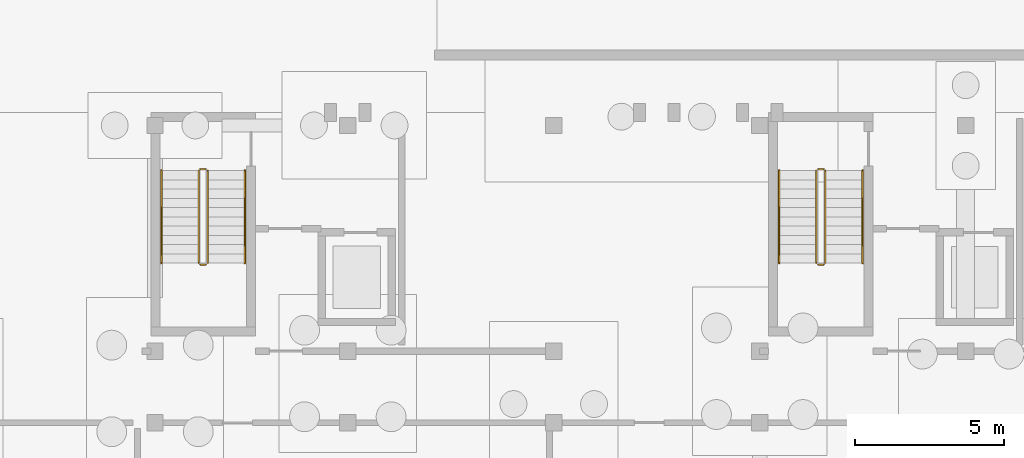
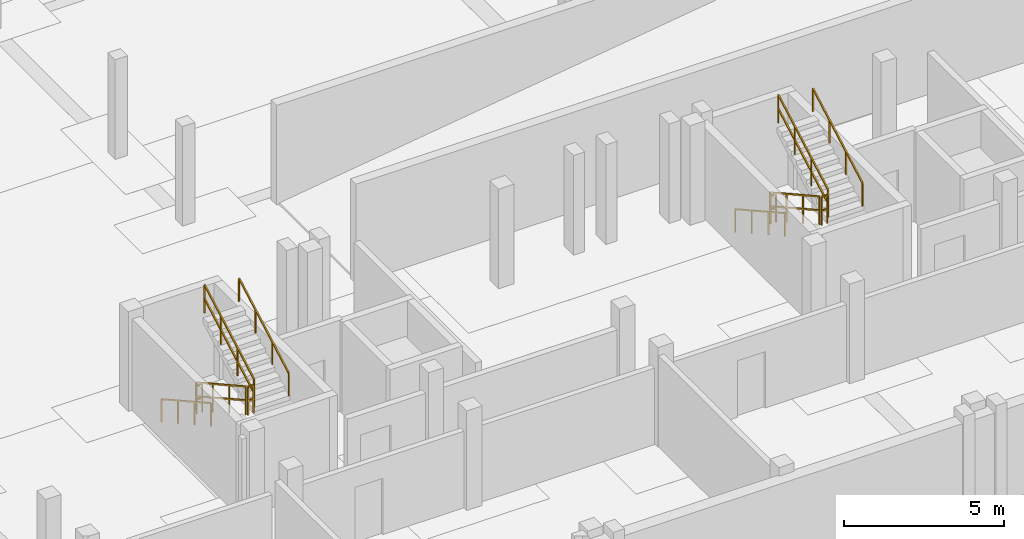
# One storey, part 36 of 38: 12 railings.
"""IFC4 building model written with IfcOpenShell, lengths in metres."""

import ifcopenshell
import ifcopenshell.guid

model = None  # the IFC model being written
_history = None  # IfcOwnerHistory: only IFC2X3 demands one
_inside = {}  # id of a spatial element -> (the spatial element, [elements in it])
_under = {}  # id of a project, library or spatial element -> (it, [spatial elements below it])
_declared = {}  # id of a project -> (the project, [libraries it declares])
_typed = {}  # id of a type object -> (the type object, [elements of that type])
_made_of = {}  # id of a material, layer set ... -> (it, [elements and type objects made of it])


def new_model(schema):
    """Start an empty IFC model of exactly this schema.

    Asked for "IFC4X3", IfcOpenShell would pick the latest addendum, in which some entities
    have other attributes; the version numbers below select the first issue.
    IFC2X3 requires an IfcOwnerHistory on every rooted entity: one is made here for all.
    """
    global model, _history
    if schema == "IFC4X3":
        model = ifcopenshell.file(schema_version=(4, 3, 0, 0))
    else:
        model = ifcopenshell.file(schema=schema)
    _inside.clear()
    _under.clear()
    _declared.clear()
    _typed.clear()
    _made_of.clear()
    _history = None
    if model.schema == "IFC2X3":
        org = make("IfcOrganization", Name="unknown")
        user = make(
            "IfcPersonAndOrganization",
            ThePerson=make("IfcPerson", FamilyName="unknown"),
            TheOrganization=org,
        )
        app = make(
            "IfcApplication",
            ApplicationDeveloper=org,
            Version="unknown",
            ApplicationFullName="unknown",
            ApplicationIdentifier="unknown",
        )
        _history = make(
            "IfcOwnerHistory",
            OwningUser=user,
            OwningApplication=app,
            ChangeAction="ADDED",
            CreationDate=0,
        )
    return model


def make(cls, **values):
    """One entity of the class cls with the attributes given. An attribute that is None is left unset."""
    return model.create_entity(
        cls, **{name: value for name, value in values.items() if value is not None}
    )


def rooted(cls, **values):
    """An entity with a GlobalId (a new one), such as an element, a storey or a relation."""
    return make(cls, GlobalId=ifcopenshell.guid.new(), OwnerHistory=_history, **values)


def si_unit(unit_type, name, prefix=None):
    """IfcSIUnit, for example si_unit("LENGTHUNIT", "METRE", prefix="MILLI")."""
    return make("IfcSIUnit", UnitType=unit_type, Prefix=prefix, Name=name)


def assignment(units):
    """IfcUnitAssignment: the units of a project."""
    return None if units is None else make("IfcUnitAssignment", Units=units)


def point(xyz):
    """IfcCartesianPoint."""
    return None if xyz is None else make("IfcCartesianPoint", Coordinates=xyz)


def direction(xyz):
    """IfcDirection."""
    return None if xyz is None else make("IfcDirection", DirectionRatios=xyz)


def frame(location, z_axis=None, x_axis=None):
    """IfcAxis2Placement3D, a coordinate frame: its origin and axes. An axis left out is left unset."""
    return make(
        "IfcAxis2Placement3D",
        Location=point(location),
        Axis=direction(z_axis),
        RefDirection=direction(x_axis),
    )


def frame_2d(location, x_axis=None):
    """IfcAxis2Placement2D, a coordinate frame in the plane: its origin and x axis."""
    return make(
        "IfcAxis2Placement2D", Location=point(location), RefDirection=direction(x_axis)
    )


def origin():
    """The frame at (0, 0, 0) with its axes left unset."""
    return frame((0.0, 0.0, 0.0))


def origin_2d():
    """The frame at (0, 0) in the plane with its x axis left unset."""
    return frame_2d((0.0, 0.0))


def place(relative_to, where):
    """IfcLocalPlacement: puts the frame where relative to a parent placement (None: the world)."""
    return make(
        "IfcLocalPlacement", PlacementRelTo=relative_to, RelativePlacement=where
    )


def context(
    kind, dimensions, precision=None, world=None, true_north=None, identifier=None
):
    """IfcGeometricRepresentationContext, for example the 3D "Model" context."""
    return make(
        "IfcGeometricRepresentationContext",
        ContextIdentifier=identifier,
        ContextType=kind,
        CoordinateSpaceDimension=dimensions,
        Precision=precision,
        WorldCoordinateSystem=world,
        TrueNorth=true_north,
    )


def subcontext(parent, identifier, kind, view, scale=None):
    """IfcGeometricRepresentationSubContext, for example "Body" below "Model"."""
    return make(
        "IfcGeometricRepresentationSubContext",
        ContextIdentifier=identifier,
        ContextType=kind,
        ParentContext=parent,
        TargetScale=scale,
        TargetView=view,
    )


def project(units=None, contexts=None):
    """IfcProject with its units and contexts."""
    return rooted(
        "IfcProject",
        Name="project",
        RepresentationContexts=contexts,
        UnitsInContext=assignment(units),
    )


def spatial(cls, under=None, at=None, **own):
    """A site, building, storey or space (cls), placed at a placement, below another one or the project."""
    s = rooted(cls, ObjectPlacement=at, **own)
    if under is not None:
        _under.setdefault(under.id(), (under, []))[1].append(s)
    return s


def profile(cls, at=None, kind="AREA", **sizes):
    """A parametric profile (cls). Its sizes go by their IFC names, for example OverallWidth=200.0."""
    return make(cls, ProfileType=kind, Position=at, **sizes)


def rectangle(**sizes):
    """IfcRectangleProfileDef."""
    return profile("IfcRectangleProfileDef", **sizes)


def extrude(swept, where, along, depth):
    """IfcExtrudedAreaSolid: the profile swept, set in the frame where, extruded along a direction by depth."""
    return make(
        "IfcExtrudedAreaSolid",
        SweptArea=swept,
        Position=where,
        ExtrudedDirection=direction(along),
        Depth=depth,
    )


def shape(context_of_items, identifier, shape_type, items):
    """IfcShapeRepresentation: the items that make up one representation, for example the "Body"."""
    return make(
        "IfcShapeRepresentation",
        ContextOfItems=context_of_items,
        RepresentationIdentifier=identifier,
        RepresentationType=shape_type,
        Items=items,
    )


def material(Name=None, Category=None):
    """IfcMaterial."""
    return make("IfcMaterial", Name=Name, Category=Category)


def made_of(thing, what):
    """Note that an element or type object is made of a material, layer set ...; save() writes the relation."""
    if what is not None:
        _made_of.setdefault(what.id(), (what, []))[1].append(thing)
    return thing


def type_object(cls, material=None, **own):
    """A type object (cls), such as IfcWallType, which elements share."""
    return made_of(rooted(cls, **own), material)


def element(
    cls,
    number,
    at=None,
    inside=None,
    cuts=None,
    type_object=None,
    material=None,
    context=None,
    identifier="Body",
    shape_type=None,
    held_by="IfcProductDefinitionShape",
    body=None,
    shapes=None,
    **own,
):
    """One element of the class cls, such as IfcWall. Its Tag is "e" and its number.

    at: its placement. inside: the storey or other place that contains it. cuts: it is an
    opening in that element (IfcRelVoidsElement). A single representation is given by context,
    identifier, shape_type and body (its items); several are given by shapes. held_by: the class
    of the entity that holds the representations. save() writes the other relations.
    """
    e = rooted(cls, Tag="e%d" % number, ObjectPlacement=at, **own)
    if body is not None:
        shapes = [shape(context, identifier, shape_type, body)]
    if shapes is not None:
        e.Representation = make(held_by, Representations=shapes)
    if inside is not None:
        _inside.setdefault(inside.id(), (inside, []))[1].append(e)
    if cuts is not None:
        rooted(
            "IfcRelVoidsElement", RelatingBuildingElement=cuts, RelatedOpeningElement=e
        )
    if type_object is not None:
        _typed.setdefault(type_object.id(), (type_object, []))[1].append(e)
    return made_of(e, material)


def aggregate(whole, parts):
    """IfcRelAggregates: a whole, such as a stair, and the parts it consists of."""
    return rooted("IfcRelAggregates", RelatingObject=whole, RelatedObjects=parts)


def save(model, path):
    """Write the relations noted so far, then the file.

    IfcRelAggregates (storeys below a building ...), IfcRelContainedInSpatialStructure (elements
    in a storey), IfcRelDefinesByType, IfcRelAssociatesMaterial and IfcRelDeclares: one each for
    every whole, place, type object, material and project.
    """
    for whole, parts in _under.values():
        aggregate(whole, parts)
    for where, things in _inside.values():
        rooted(
            "IfcRelContainedInSpatialStructure",
            RelatedElements=things,
            RelatingStructure=where,
        )
    for kind, things in _typed.values():
        rooted("IfcRelDefinesByType", RelatedObjects=things, RelatingType=kind)
    for what, things in _made_of.values():
        rooted("IfcRelAssociatesMaterial", RelatedObjects=things, RelatingMaterial=what)
    for by, libraries in _declared.values():
        rooted("IfcRelDeclares", RelatingContext=by, RelatedDefinitions=libraries)
    model.write(path)


model = new_model("IFC4")

# Units and contexts
model_context = context("Model", 3, precision=1e-05, world=origin(), true_north=direction((0.0, 1.0)))
body_context = subcontext(model_context, "Body", "Model", "MODEL_VIEW")
ifc_project = project(units=[si_unit("LENGTHUNIT", "METRE"), si_unit("AREAUNIT", "SQUARE_METRE"), si_unit("VOLUMEUNIT", "CUBIC_METRE"), si_unit("PLANEANGLEUNIT", "RADIAN"), si_unit("MASSUNIT", "GRAM", prefix="KILO")], contexts=[model_context])

# Site, building, storey
site_placement = place(None, origin())
site = spatial("IfcSite", under=ifc_project, at=site_placement, CompositionType="ELEMENT")
building_placement = place(site_placement, origin())
building = spatial("IfcBuilding", under=site, at=building_placement, Name="Zavelmont Quarter", CompositionType="ELEMENT")
storey_placement = place(building_placement, frame((0.0, 0.0, -3.800048828125)))
storey = spatial("IfcBuildingStorey", under=building, at=storey_placement, Name="B01", CompositionType="ELEMENT", Elevation=-3.800048828125)

# Railings
ifc_material_1 = material(Name="Powder-coated steel stair guardrail", Category="steel")
railing_type_1 = type_object("IfcRailingType", Name="RL-GRD1", PredefinedType="GUARDRAIL", material=ifc_material_1)
railing_1_placement = place(storey_placement, frame((128.5, 16.449951171875, 0.1728515625)))
element("IfcRailing", 1, at=railing_1_placement, inside=storey, type_object=railing_type_1, Name="B01 ST07 stair guardrail 1", PredefinedType="GUARDRAIL", context=body_context, shape_type="SweptSolid", body=[
    extrude(rectangle(XDim=0.048095703125, YDim=0.048095703125, at=origin_2d()), frame((0.0, 0.0, 1.076171875), z_axis=(0.0, -0.873539977393, 0.486752409235), x_axis=(1.0, 0.0, 0.0)), (0.0, 0.0, 1.0), 3.548583984375),
    extrude(rectangle(XDim=0.048095703125, YDim=0.048095703125, at=origin_2d()), frame((0.0, 0.0, 0.550048828125), z_axis=(0.0, -0.873539977393, 0.486752409235), x_axis=(1.0, 0.0, 0.0)), (0.0, 0.0, 1.0), 3.548583984375),
    extrude(rectangle(XDim=0.0419921875, YDim=0.0419921875, at=origin_2d()), origin(), (0.0, 0.0, 1.0), 1.052001953125),
    extrude(rectangle(XDim=0.0419921875, YDim=0.0419921875, at=origin_2d()), frame((0.0, -1.033203125, 0.57568359375)), (0.0, 0.0, 1.0), 1.052001953125),
    extrude(rectangle(XDim=0.0419921875, YDim=0.0419921875, at=origin_2d()), frame((0.0, -2.066650390625, 1.151611328125)), (0.0, 0.0, 1.0), 1.052001953125),
    extrude(rectangle(XDim=0.0419921875, YDim=0.0419921875, at=origin_2d()), frame((0.0, -3.099853515625, 1.727294921875)), (0.0, 0.0, 1.0), 1.052001953125),
])
railing_2_placement = place(storey_placement, frame((128.550048828125, 13.300048828125, 1.900146484375)))
element("IfcRailing", 2, at=railing_2_placement, inside=storey, type_object=railing_type_1, Name="B01 ST07 stair guardrail 2", PredefinedType="GUARDRAIL", context=body_context, shape_type="SweptSolid", body=[
    extrude(rectangle(XDim=0.048095703125, YDim=0.048095703125, at=origin_2d()), frame((0.0, 0.0, 1.076171875), z_axis=(1.0, 0.0, 0.0), x_axis=(0.0, 1.0, 0.0)), (0.0, 0.0, 1.0), 0.199951171875),
    extrude(rectangle(XDim=0.048095703125, YDim=0.048095703125, at=origin_2d()), frame((0.0, 0.0, 0.550048828125), z_axis=(1.0, 0.0, 0.0), x_axis=(0.0, 1.0, 0.0)), (0.0, 0.0, 1.0), 0.199951171875),
    extrude(rectangle(XDim=0.0419921875, YDim=0.0419921875, at=origin_2d()), origin(), (0.0, 0.0, 1.0), 1.052001953125),
    extrude(rectangle(XDim=0.0419921875, YDim=0.0419921875, at=origin_2d()), frame((0.199951171875, 0.0, 0.0)), (0.0, 0.0, 1.0), 1.052001953125),
])
railing_3_placement = place(storey_placement, frame((128.800048828125, 13.35009765625, 2.07275390625)))
element("IfcRailing", 3, at=railing_3_placement, inside=storey, type_object=railing_type_1, Name="B01 ST07 stair guardrail 3", PredefinedType="GUARDRAIL", context=body_context, shape_type="SweptSolid", body=[
    extrude(rectangle(XDim=0.048095703125, YDim=0.048095703125, at=origin_2d()), frame((0.0, 0.0, 1.076171875), z_axis=(0.0, 0.873539977393, 0.486752409235), x_axis=(-1.0, 0.0, 0.0)), (0.0, 0.0, 1.0), 3.548583984375),
    extrude(rectangle(XDim=0.048095703125, YDim=0.048095703125, at=origin_2d()), frame((0.0, 0.0, 0.550048828125), z_axis=(0.0, 0.873539977393, 0.486752409235), x_axis=(-1.0, 0.0, 0.0)), (0.0, 0.0, 1.0), 3.548583984375),
    extrude(rectangle(XDim=0.0419921875, YDim=0.0419921875, at=origin_2d()), origin(), (0.0, 0.0, 1.0), 1.052001953125),
    extrude(rectangle(XDim=0.0419921875, YDim=0.0419921875, at=origin_2d()), frame((0.0, 1.033203125, 0.57568359375)), (0.0, 0.0, 1.0), 1.052001953125),
    extrude(rectangle(XDim=0.0419921875, YDim=0.0419921875, at=origin_2d()), frame((0.0, 2.066650390625, 1.151611328125)), (0.0, 0.0, 1.0), 1.052001953125),
    extrude(rectangle(XDim=0.0419921875, YDim=0.0419921875, at=origin_2d()), frame((0.0, 3.099853515625, 1.727294921875)), (0.0, 0.0, 1.0), 1.052001953125),
])
railing_4_placement = place(storey_placement, frame((128.550048828125, 16.5, 0.0)))
element("IfcRailing", 4, at=railing_4_placement, inside=storey, type_object=railing_type_1, Name="B01 ST07 stair guardrail 4", PredefinedType="GUARDRAIL", context=body_context, shape_type="SweptSolid", body=[
    extrude(rectangle(XDim=0.048095703125, YDim=0.048095703125, at=origin_2d()), frame((0.0, 0.0, 1.076171875), z_axis=(1.0, 0.0, 0.0), x_axis=(0.0, 1.0, 0.0)), (0.0, 0.0, 1.0), 0.199951171875),
    extrude(rectangle(XDim=0.048095703125, YDim=0.048095703125, at=origin_2d()), frame((0.0, 0.0, 0.550048828125), z_axis=(1.0, 0.0, 0.0), x_axis=(0.0, 1.0, 0.0)), (0.0, 0.0, 1.0), 0.199951171875),
    extrude(rectangle(XDim=0.0419921875, YDim=0.0419921875, at=origin_2d()), origin(), (0.0, 0.0, 1.0), 1.052001953125),
    extrude(rectangle(XDim=0.0419921875, YDim=0.0419921875, at=origin_2d()), frame((0.199951171875, 0.0, 0.0)), (0.0, 0.0, 1.0), 1.052001953125),
])
railing_5_placement = place(storey_placement, frame((149.199951171875, 16.449951171875, 0.1728515625)))
element("IfcRailing", 5, at=railing_5_placement, inside=storey, type_object=railing_type_1, Name="B01 ST08 stair guardrail 1", PredefinedType="GUARDRAIL", context=body_context, shape_type="SweptSolid", body=[
    extrude(rectangle(XDim=0.048095703125, YDim=0.048095703125, at=origin_2d()), frame((0.0, 0.0, 1.076171875), z_axis=(0.0, -0.873539977393, 0.486752409235), x_axis=(1.0, 0.0, 0.0)), (0.0, 0.0, 1.0), 3.548583984375),
    extrude(rectangle(XDim=0.048095703125, YDim=0.048095703125, at=origin_2d()), frame((0.0, 0.0, 0.550048828125), z_axis=(0.0, -0.873539977393, 0.486752409235), x_axis=(1.0, 0.0, 0.0)), (0.0, 0.0, 1.0), 3.548583984375),
    extrude(rectangle(XDim=0.0419921875, YDim=0.0419921875, at=origin_2d()), origin(), (0.0, 0.0, 1.0), 1.052001953125),
    extrude(rectangle(XDim=0.0419921875, YDim=0.0419921875, at=origin_2d()), frame((0.0, -1.033203125, 0.57568359375)), (0.0, 0.0, 1.0), 1.052001953125),
    extrude(rectangle(XDim=0.0419921875, YDim=0.0419921875, at=origin_2d()), frame((0.0, -2.066650390625, 1.151611328125)), (0.0, 0.0, 1.0), 1.052001953125),
    extrude(rectangle(XDim=0.0419921875, YDim=0.0419921875, at=origin_2d()), frame((0.0, -3.099853515625, 1.727294921875)), (0.0, 0.0, 1.0), 1.052001953125),
])
railing_6_placement = place(storey_placement, frame((149.25, 13.300048828125, 1.900146484375)))
element("IfcRailing", 6, at=railing_6_placement, inside=storey, type_object=railing_type_1, Name="B01 ST08 stair guardrail 2", PredefinedType="GUARDRAIL", context=body_context, shape_type="SweptSolid", body=[
    extrude(rectangle(XDim=0.048095703125, YDim=0.048095703125, at=origin_2d()), frame((0.0, 0.0, 1.076171875), z_axis=(1.0, 0.0, 0.0), x_axis=(0.0, 1.0, 0.0)), (0.0, 0.0, 1.0), 0.199951171875),
    extrude(rectangle(XDim=0.048095703125, YDim=0.048095703125, at=origin_2d()), frame((0.0, 0.0, 0.550048828125), z_axis=(1.0, 0.0, 0.0), x_axis=(0.0, 1.0, 0.0)), (0.0, 0.0, 1.0), 0.199951171875),
    extrude(rectangle(XDim=0.0419921875, YDim=0.0419921875, at=origin_2d()), origin(), (0.0, 0.0, 1.0), 1.052001953125),
    extrude(rectangle(XDim=0.0419921875, YDim=0.0419921875, at=origin_2d()), frame((0.199951171875, 0.0, 0.0)), (0.0, 0.0, 1.0), 1.052001953125),
])
railing_7_placement = place(storey_placement, frame((149.5, 13.35009765625, 2.07275390625)))
element("IfcRailing", 7, at=railing_7_placement, inside=storey, type_object=railing_type_1, Name="B01 ST08 stair guardrail 3", PredefinedType="GUARDRAIL", context=body_context, shape_type="SweptSolid", body=[
    extrude(rectangle(XDim=0.048095703125, YDim=0.048095703125, at=origin_2d()), frame((0.0, 0.0, 1.076171875), z_axis=(0.0, 0.873539977393, 0.486752409235), x_axis=(-1.0, 0.0, 0.0)), (0.0, 0.0, 1.0), 3.548583984375),
    extrude(rectangle(XDim=0.048095703125, YDim=0.048095703125, at=origin_2d()), frame((0.0, 0.0, 0.550048828125), z_axis=(0.0, 0.873539977393, 0.486752409235), x_axis=(-1.0, 0.0, 0.0)), (0.0, 0.0, 1.0), 3.548583984375),
    extrude(rectangle(XDim=0.0419921875, YDim=0.0419921875, at=origin_2d()), origin(), (0.0, 0.0, 1.0), 1.052001953125),
    extrude(rectangle(XDim=0.0419921875, YDim=0.0419921875, at=origin_2d()), frame((0.0, 1.033203125, 0.57568359375)), (0.0, 0.0, 1.0), 1.052001953125),
    extrude(rectangle(XDim=0.0419921875, YDim=0.0419921875, at=origin_2d()), frame((0.0, 2.066650390625, 1.151611328125)), (0.0, 0.0, 1.0), 1.052001953125),
    extrude(rectangle(XDim=0.0419921875, YDim=0.0419921875, at=origin_2d()), frame((0.0, 3.099853515625, 1.727294921875)), (0.0, 0.0, 1.0), 1.052001953125),
])
railing_8_placement = place(storey_placement, frame((149.25, 16.5, 0.0)))
element("IfcRailing", 8, at=railing_8_placement, inside=storey, type_object=railing_type_1, Name="B01 ST08 stair guardrail 4", PredefinedType="GUARDRAIL", context=body_context, shape_type="SweptSolid", body=[
    extrude(rectangle(XDim=0.048095703125, YDim=0.048095703125, at=origin_2d()), frame((0.0, 0.0, 1.076171875), z_axis=(1.0, 0.0, 0.0), x_axis=(0.0, 1.0, 0.0)), (0.0, 0.0, 1.0), 0.199951171875),
    extrude(rectangle(XDim=0.048095703125, YDim=0.048095703125, at=origin_2d()), frame((0.0, 0.0, 0.550048828125), z_axis=(1.0, 0.0, 0.0), x_axis=(0.0, 1.0, 0.0)), (0.0, 0.0, 1.0), 0.199951171875),
    extrude(rectangle(XDim=0.0419921875, YDim=0.0419921875, at=origin_2d()), origin(), (0.0, 0.0, 1.0), 1.052001953125),
    extrude(rectangle(XDim=0.0419921875, YDim=0.0419921875, at=origin_2d()), frame((0.199951171875, 0.0, 0.0)), (0.0, 0.0, 1.0), 1.052001953125),
])
ifc_material_2 = material(Name="Brushed stainless-steel wall handrail", Category="steel")
railing_type_2 = type_object("IfcRailingType", Name="RL-HND1", PredefinedType="HANDRAIL", material=ifc_material_2)
railing_9_placement = place(storey_placement, frame((127.25, 16.449951171875, 0.1728515625)))
element("IfcRailing", 9, at=railing_9_placement, inside=storey, type_object=railing_type_2, Name="B01 ST07 stair handrail 1", PredefinedType="HANDRAIL", context=body_context, shape_type="SweptSolid", body=[
    extrude(rectangle(XDim=0.048095703125, YDim=0.048095703125, at=origin_2d()), frame((0.0, 0.0, 0.8759765625), z_axis=(0.0, -0.873539977393, 0.486752409235), x_axis=(1.0, 0.0, 0.0)), (0.0, 0.0, 1.0), 3.548583984375),
    extrude(rectangle(XDim=0.0419921875, YDim=0.0419921875, at=origin_2d()), origin(), (0.0, 0.0, 1.0), 0.851806640625),
    extrude(rectangle(XDim=0.0419921875, YDim=0.0419921875, at=origin_2d()), frame((0.0, -1.033203125, 0.57568359375)), (0.0, 0.0, 1.0), 0.851806640625),
    extrude(rectangle(XDim=0.0419921875, YDim=0.0419921875, at=origin_2d()), frame((0.0, -2.066650390625, 1.151611328125)), (0.0, 0.0, 1.0), 0.851806640625),
    extrude(rectangle(XDim=0.0419921875, YDim=0.0419921875, at=origin_2d()), frame((0.0, -3.099853515625, 1.727294921875)), (0.0, 0.0, 1.0), 0.851806640625),
])
railing_10_placement = place(storey_placement, frame((130.050048828125, 13.35009765625, 2.07275390625)))
element("IfcRailing", 10, at=railing_10_placement, inside=storey, type_object=railing_type_2, Name="B01 ST07 stair handrail 2", PredefinedType="HANDRAIL", context=body_context, shape_type="SweptSolid", body=[
    extrude(rectangle(XDim=0.048095703125, YDim=0.048095703125, at=origin_2d()), frame((0.0, 0.0, 0.8759765625), z_axis=(0.0, 0.873539977393, 0.486752409235), x_axis=(-1.0, 0.0, 0.0)), (0.0, 0.0, 1.0), 3.548583984375),
    extrude(rectangle(XDim=0.0419921875, YDim=0.0419921875, at=origin_2d()), origin(), (0.0, 0.0, 1.0), 0.851806640625),
    extrude(rectangle(XDim=0.0419921875, YDim=0.0419921875, at=origin_2d()), frame((0.0, 1.033203125, 0.57568359375)), (0.0, 0.0, 1.0), 0.851806640625),
    extrude(rectangle(XDim=0.0419921875, YDim=0.0419921875, at=origin_2d()), frame((0.0, 2.066650390625, 1.151611328125)), (0.0, 0.0, 1.0), 0.851806640625),
    extrude(rectangle(XDim=0.0419921875, YDim=0.0419921875, at=origin_2d()), frame((0.0, 3.099853515625, 1.727294921875)), (0.0, 0.0, 1.0), 0.851806640625),
])
railing_11_placement = place(storey_placement, frame((147.949951171875, 16.449951171875, 0.1728515625)))
element("IfcRailing", 11, at=railing_11_placement, inside=storey, type_object=railing_type_2, Name="B01 ST08 stair handrail 1", PredefinedType="HANDRAIL", context=body_context, shape_type="SweptSolid", body=[
    extrude(rectangle(XDim=0.048095703125, YDim=0.048095703125, at=origin_2d()), frame((0.0, 0.0, 0.8759765625), z_axis=(0.0, -0.873539977393, 0.486752409235), x_axis=(1.0, 0.0, 0.0)), (0.0, 0.0, 1.0), 3.548583984375),
    extrude(rectangle(XDim=0.0419921875, YDim=0.0419921875, at=origin_2d()), origin(), (0.0, 0.0, 1.0), 0.851806640625),
    extrude(rectangle(XDim=0.0419921875, YDim=0.0419921875, at=origin_2d()), frame((0.0, -1.033203125, 0.57568359375)), (0.0, 0.0, 1.0), 0.851806640625),
    extrude(rectangle(XDim=0.0419921875, YDim=0.0419921875, at=origin_2d()), frame((0.0, -2.066650390625, 1.151611328125)), (0.0, 0.0, 1.0), 0.851806640625),
    extrude(rectangle(XDim=0.0419921875, YDim=0.0419921875, at=origin_2d()), frame((0.0, -3.099853515625, 1.727294921875)), (0.0, 0.0, 1.0), 0.851806640625),
])
railing_12_placement = place(storey_placement, frame((150.75, 13.35009765625, 2.07275390625)))
element("IfcRailing", 12, at=railing_12_placement, inside=storey, type_object=railing_type_2, Name="B01 ST08 stair handrail 2", PredefinedType="HANDRAIL", context=body_context, shape_type="SweptSolid", body=[
    extrude(rectangle(XDim=0.048095703125, YDim=0.048095703125, at=origin_2d()), frame((0.0, 0.0, 0.8759765625), z_axis=(0.0, 0.873539977393, 0.486752409235), x_axis=(-1.0, 0.0, 0.0)), (0.0, 0.0, 1.0), 3.548583984375),
    extrude(rectangle(XDim=0.0419921875, YDim=0.0419921875, at=origin_2d()), origin(), (0.0, 0.0, 1.0), 0.851806640625),
    extrude(rectangle(XDim=0.0419921875, YDim=0.0419921875, at=origin_2d()), frame((0.0, 1.033203125, 0.57568359375)), (0.0, 0.0, 1.0), 0.851806640625),
    extrude(rectangle(XDim=0.0419921875, YDim=0.0419921875, at=origin_2d()), frame((0.0, 2.066650390625, 1.151611328125)), (0.0, 0.0, 1.0), 0.851806640625),
    extrude(rectangle(XDim=0.0419921875, YDim=0.0419921875, at=origin_2d()), frame((0.0, 3.099853515625, 1.727294921875)), (0.0, 0.0, 1.0), 0.851806640625),
])

save(model, "model.ifc")
